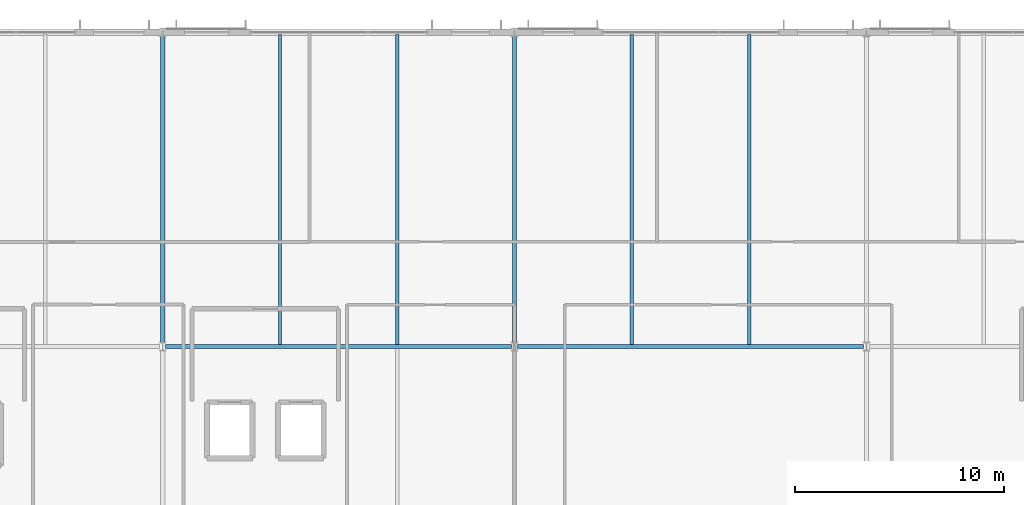
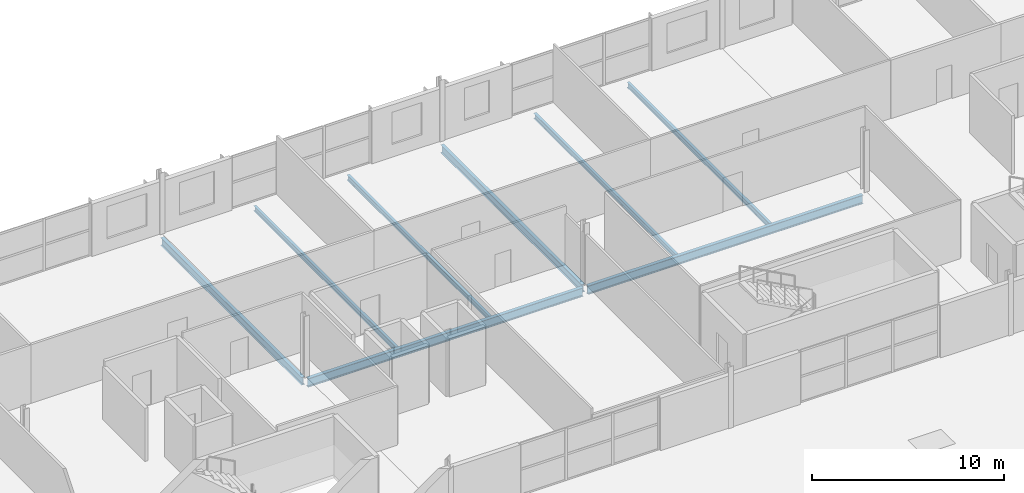
# One storey, part 16 of 36: 8 beams.
"""IFC4 building model written with IfcOpenShell, lengths in metres."""

from ifc_helpers import new_model, si_unit, direction, frame, origin, origin_2d, place, context, subcontext, project, spatial, i_section, extrude, material, material_profile, profile_set, type_object, element, save


model = new_model("IFC4")

# Units and contexts
model_context = context("Model", 3, precision=1e-05, world=origin(), true_north=direction((0.0, 1.0)))
body_context = subcontext(model_context, "Body", "Model", "MODEL_VIEW")
ifc_project = project(units=[si_unit("LENGTHUNIT", "METRE"), si_unit("AREAUNIT", "SQUARE_METRE"), si_unit("VOLUMEUNIT", "CUBIC_METRE"), si_unit("PLANEANGLEUNIT", "RADIAN"), si_unit("MASSUNIT", "GRAM", prefix="KILO")], contexts=[model_context])

# Site, building, storey
site_placement = place(None, origin())
site = spatial("IfcSite", under=ifc_project, at=site_placement, CompositionType="ELEMENT")
building_placement = place(site_placement, origin())
building = spatial("IfcBuilding", under=site, at=building_placement, Name="Kimbaza Rail Terminus", CompositionType="ELEMENT")
storey_placement = place(building_placement, frame((0.0, 0.0, 21.0)))
storey = spatial("IfcBuildingStorey", under=building, at=storey_placement, Name="L04", CompositionType="ELEMENT", Elevation=21.0)

# Beams
ifc_material_1 = material(Name="Steel S355", Category="steel")
ifc_material_profile_1 = material_profile(ifc_material_1, i_section(OverallWidth=0.159912109375, OverallDepth=0.330078125, WebThickness=0.007568359375, FlangeThickness=0.011474609375, FilletRadius=0.01806640625, at=origin_2d()), Name="IPE 330")
ifc_profile_set_1 = profile_set([ifc_material_profile_1], Name="Steel S355")
beam_type_1 = type_object("IfcBeamType", Name="STR-BM-IPE330", PredefinedType="JOIST", material=ifc_profile_set_1)
for number, where, z_axis, x_axis, name in (
    (1, (94.39990234375, 118.10009765625, -0.364990234375), (0.0, 1.0, 0.0), (-1.0, 0.0, 0.0), "Operations Secondary Joist L04"),
    (2, (100.0, 118.10009765625, -0.364990234375), (0.0, 1.0, 0.0), (-1.0, 0.0, 0.0), "Operations Secondary Joist L04"),
    (3, (111.199951171875, 118.10009765625, -0.364990234375), (0.0, 1.0, 0.0), (-1.0, 0.0, 0.0), "Operations Secondary Joist L04"),
    (4, (116.800048828125, 118.10009765625, -0.364990234375), (0.0, 1.0, 0.0), (-1.0, 0.0, 0.0), "Operations Secondary Joist L04"),
):
    element("IfcBeam", number, at=place(storey_placement, frame(where, z_axis=z_axis, x_axis=x_axis)), inside=storey, type_object=beam_type_1, Name=name, PredefinedType="JOIST", context=body_context, shape_type="SweptSolid", body=[
        extrude(i_section(OverallWidth=0.159912109375, OverallDepth=0.330078125, WebThickness=0.007568359375, FlangeThickness=0.011474609375, FilletRadius=0.01806640625, at=origin_2d()), origin(), (0.0, 0.0, 1.0), 14.7998046875),
    ])
ifc_material_2 = material(Name="Steel S355", Category="steel")
ifc_material_profile_2 = material_profile(ifc_material_2, i_section(OverallWidth=0.199951171875, OverallDepth=0.5, WebThickness=0.01025390625, FlangeThickness=0.01611328125, FilletRadius=0.02099609375, at=origin_2d()), Name="IPE 500")
ifc_profile_set_2 = profile_set([ifc_material_profile_2], Name="Steel S355")
beam_type_2 = type_object("IfcBeamType", Name="STR-BM-IPE500", PredefinedType="BEAM", material=ifc_profile_set_2)
for number, where, z_axis, x_axis, name in (
    (5, (88.800048828125, 118.175048828125, -0.449951171875), (0.0, 1.0, 0.0), (-1.0, 0.0, 0.0), "Operations Cross Girder L04 X2-Y1"),
    (6, (105.60009765625, 118.175048828125, -0.449951171875), (0.0, 1.0, 0.0), (-1.0, 0.0, 0.0), "Operations Cross Girder L04 X3-Y1"),
):
    element("IfcBeam", number, at=place(storey_placement, frame(where, z_axis=z_axis, x_axis=x_axis)), inside=storey, type_object=beam_type_2, Name=name, PredefinedType="BEAM", context=body_context, shape_type="SweptSolid", body=[
        extrude(i_section(OverallWidth=0.199951171875, OverallDepth=0.5, WebThickness=0.01025390625, FlangeThickness=0.01611328125, FilletRadius=0.02099609375, at=origin_2d()), origin(), (0.0, 0.0, 1.0), 14.64990234375),
    ])
ifc_material_3 = material(Name="Steel S355", Category="steel")
ifc_material_profile_3 = material_profile(ifc_material_3, i_section(OverallWidth=0.2099609375, OverallDepth=0.550048828125, WebThickness=0.010986328125, FlangeThickness=0.01708984375, FilletRadius=0.02392578125, at=origin_2d()), Name="IPE 550")
ifc_profile_set_3 = profile_set([ifc_material_profile_3], Name="Steel S355")
beam_type_3 = type_object("IfcBeamType", Name="STR-BM-IPE550", PredefinedType="BEAM", material=ifc_profile_set_3)
beam_1_placement = place(storey_placement, frame((88.946044921875, 118.0, -0.47509765625), z_axis=(1.0, 0.0, 0.0), x_axis=(0.0, 1.0, 0.0)))
element("IfcBeam", 7, at=beam_1_placement, inside=storey, type_object=beam_type_3, Name="Operations Girder L04 X2-Y1", PredefinedType="BEAM", context=body_context, shape_type="SweptSolid", body=[
    extrude(i_section(OverallWidth=0.2099609375, OverallDepth=0.550048828125, WebThickness=0.010986328125, FlangeThickness=0.01708984375, FilletRadius=0.02392578125, at=origin_2d()), origin(), (0.0, 0.0, 1.0), 16.508056640625),
])
beam_2_placement = place(storey_placement, frame((105.74609375, 118.0, -0.47509765625), z_axis=(1.0, 0.0, 0.0), x_axis=(0.0, 1.0, 0.0)))
element("IfcBeam", 8, at=beam_2_placement, inside=storey, type_object=beam_type_3, Name="Operations Girder L04 X3-Y1", PredefinedType="BEAM", context=body_context, shape_type="SweptSolid", body=[
    extrude(i_section(OverallWidth=0.2099609375, OverallDepth=0.550048828125, WebThickness=0.010986328125, FlangeThickness=0.01708984375, FilletRadius=0.02392578125, at=origin_2d()), origin(), (0.0, 0.0, 1.0), 16.5078125),
])

save(model, "model.ifc")
